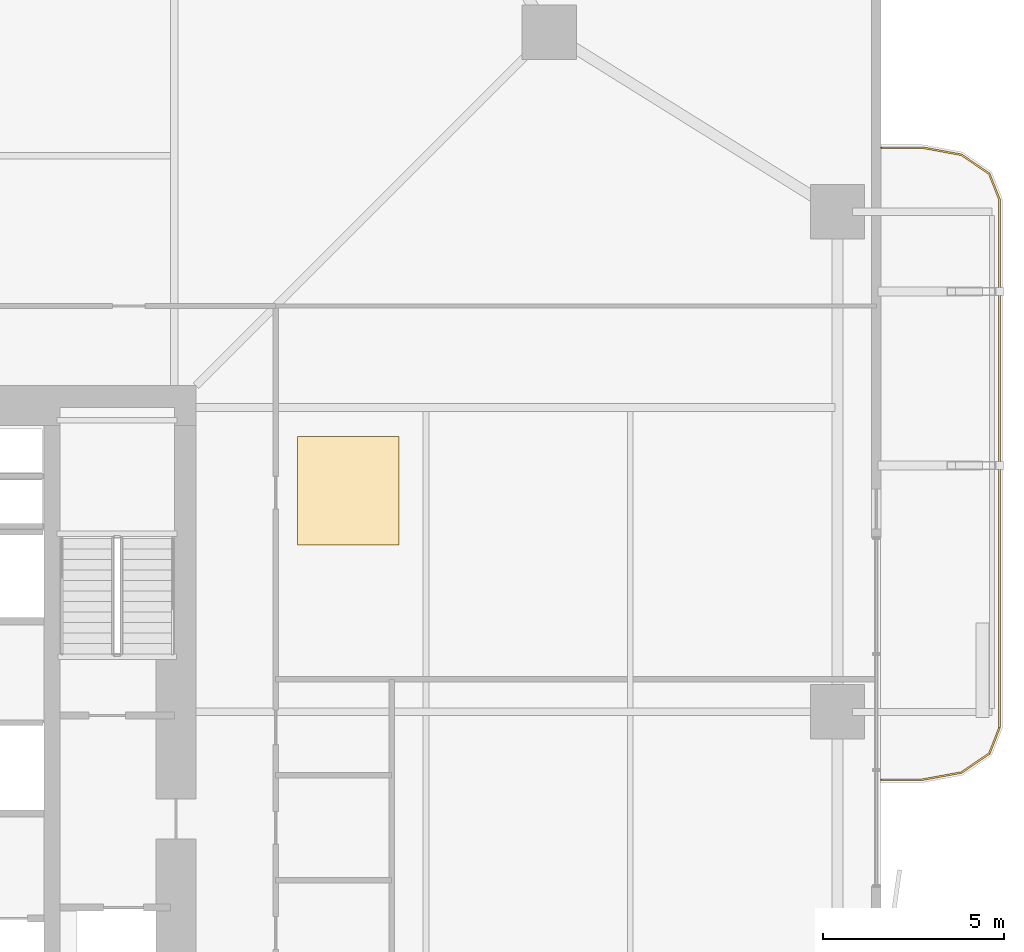
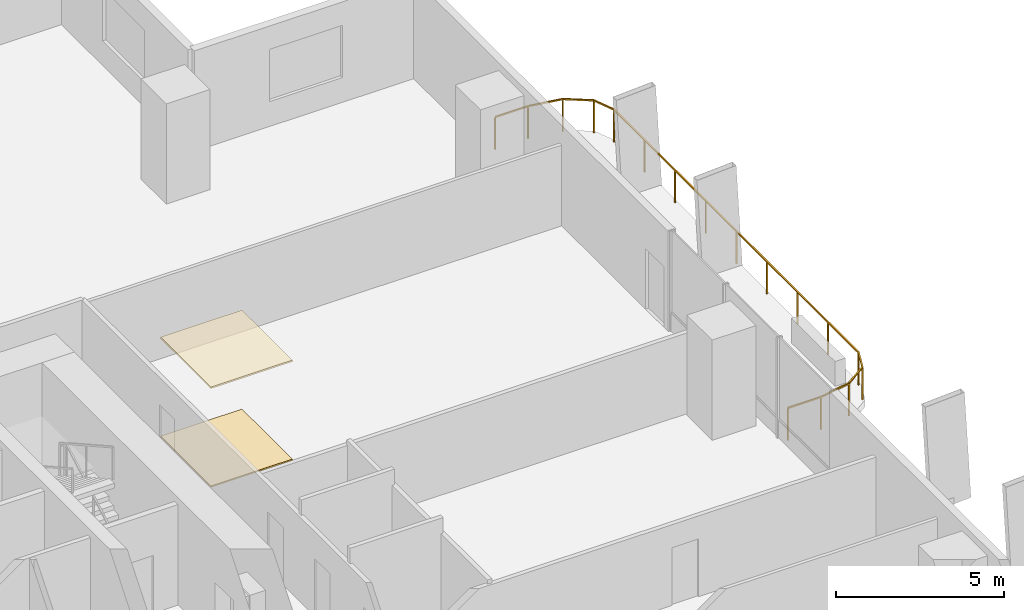
# One storey, part 24 of 24: 2 coverings, 1 railing.
"""IFC4 building model written with IfcOpenShell, lengths in metres."""

from ifc_helpers import new_model, si_unit, direction, frame, origin, origin_2d, place, context, subcontext, project, spatial, polyline, rectangle, outline, extrude, material, layer, layer_set, type_object, element, save


model = new_model("IFC4")

# Units and contexts
model_context = context("Model", 3, precision=1e-05, world=origin(), true_north=direction((0.0, 1.0)))
body_context = subcontext(model_context, "Body", "Model", "MODEL_VIEW")
ifc_project = project(units=[si_unit("LENGTHUNIT", "METRE"), si_unit("AREAUNIT", "SQUARE_METRE"), si_unit("VOLUMEUNIT", "CUBIC_METRE"), si_unit("PLANEANGLEUNIT", "RADIAN"), si_unit("MASSUNIT", "GRAM", prefix="KILO")], contexts=[model_context])

# Site, building, storey
site_placement = place(None, origin())
site = spatial("IfcSite", under=ifc_project, at=site_placement, CompositionType="ELEMENT")
building_placement = place(site_placement, origin())
building = spatial("IfcBuilding", under=site, at=building_placement, Name="Belovzor Exchange Tower", CompositionType="ELEMENT")
storey_placement = place(building_placement, frame((0.0, 0.0, 45.60009765625)))
storey = spatial("IfcBuildingStorey", under=building, at=storey_placement, Name="L10", CompositionType="ELEMENT", Elevation=45.60009765625)

# Railing
ifc_material_1 = material(Name="Stainless Steel and Laminated Safety Glass", Category="steel")
railing_type = type_object("IfcRailingType", Name="Laminated Glass & Stainless Steel Balcony Balustrade 1200", PredefinedType="BALUSTRADE", material=ifc_material_1)
railing_placement = place(storey_placement, frame((56.7099609375, 26.929931640625, 0.0)))
element("IfcRailing", 1, at=railing_placement, inside=storey, type_object=railing_type, Name="GR-1 Balcony Balustrade L10 East", PredefinedType="BALUSTRADE", context=body_context, shape_type="SweptSolid", body=[
    extrude(rectangle(XDim=0.048095703125, YDim=0.048095703125, at=origin_2d()), frame((0.0, 0.0, 1.17578125), z_axis=(1.0, 0.0, 0.0), x_axis=(0.0, 1.0, 0.0)), (0.0, 0.0, 1.0), 1.133056640625),
    extrude(rectangle(XDim=0.048095703125, YDim=0.048095703125, at=origin_2d()), frame((1.133056640625, 0.0, 1.17578125), z_axis=(0.983644145941, 0.180122719713, 0.0), x_axis=(-0.180122719713, 0.983644145941, 0.0)), (0.0, 0.0, 1.0), 1.09375),
    extrude(rectangle(XDim=0.048095703125, YDim=0.048095703125, at=origin_2d()), frame((2.208984375, 0.197021484375, 1.17578125), z_axis=(0.826493025367, 0.56294695933, 0.0), x_axis=(-0.56294695933, 0.826493025367, 0.0)), (0.0, 0.0, 1.0), 0.932861328125),
    extrude(rectangle(XDim=0.048095703125, YDim=0.048095703125, at=origin_2d()), frame((2.97998046875, 0.72216796875, 1.17578125), z_axis=(0.365612923861, 0.930766990125, 0.0), x_axis=(-0.930766990125, 0.365612923861, 0.0)), (0.0, 0.0, 1.0), 0.765869140625),
    extrude(rectangle(XDim=0.048095703125, YDim=0.048095703125, at=origin_2d()), frame((3.260009765625, 1.43505859375, 1.17578125), z_axis=(0.0, 1.0, 0.0), x_axis=(-1.0, 0.0, 0.0)), (0.0, 0.0, 1.0), 14.570068359375),
    extrude(rectangle(XDim=0.048095703125, YDim=0.048095703125, at=origin_2d()), frame((3.260009765625, 16.005126953125, 1.17578125), z_axis=(-0.365612923861, 0.930766990125, 0.0), x_axis=(-0.930766990125, -0.365612923861, 0.0)), (0.0, 0.0, 1.0), 0.765869140625),
    extrude(rectangle(XDim=0.048095703125, YDim=0.048095703125, at=origin_2d()), frame((2.97998046875, 16.718017578125, 1.17578125), z_axis=(-0.826493025367, 0.56294695933, 0.0), x_axis=(-0.56294695933, -0.826493025367, 0.0)), (0.0, 0.0, 1.0), 0.932861328125),
    extrude(rectangle(XDim=0.048095703125, YDim=0.048095703125, at=origin_2d()), frame((2.208984375, 17.2431640625, 1.17578125), z_axis=(-0.983644145941, 0.180122719713, 0.0), x_axis=(-0.180122719713, -0.983644145941, 0.0)), (0.0, 0.0, 1.0), 1.09375),
    extrude(rectangle(XDim=0.048095703125, YDim=0.048095703125, at=origin_2d()), frame((1.133056640625, 17.440185546875, 1.17578125), z_axis=(-1.0, 0.0, 0.0), x_axis=(0.0, -1.0, 0.0)), (0.0, 0.0, 1.0), 1.133056640625),
    extrude(rectangle(XDim=0.0419921875, YDim=0.0419921875, at=origin_2d()), origin(), (0.0, 0.0, 1.0), 1.15185546875),
    extrude(rectangle(XDim=0.0419921875, YDim=0.0419921875, at=origin_2d()), frame((1.133056640625, 0.0, 0.0)), (0.0, 0.0, 1.0), 1.15185546875),
    extrude(rectangle(XDim=0.0419921875, YDim=0.0419921875, at=origin_2d()), frame((2.208984375, 0.197021484375, 0.0)), (0.0, 0.0, 1.0), 1.15185546875),
    extrude(rectangle(XDim=0.0419921875, YDim=0.0419921875, at=origin_2d()), frame((2.97998046875, 0.72216796875, 0.0)), (0.0, 0.0, 1.0), 1.15185546875),
    extrude(rectangle(XDim=0.0419921875, YDim=0.0419921875, at=origin_2d()), frame((3.260009765625, 1.43505859375, 0.0)), (0.0, 0.0, 1.0), 1.15185546875),
    extrude(rectangle(XDim=0.0419921875, YDim=0.0419921875, at=origin_2d()), frame((3.260009765625, 3.25634765625, 0.0)), (0.0, 0.0, 1.0), 1.15185546875),
    extrude(rectangle(XDim=0.0419921875, YDim=0.0419921875, at=origin_2d()), frame((3.260009765625, 5.07763671875, 0.0)), (0.0, 0.0, 1.0), 1.15185546875),
    extrude(rectangle(XDim=0.0419921875, YDim=0.0419921875, at=origin_2d()), frame((3.260009765625, 6.89892578125, 0.0)), (0.0, 0.0, 1.0), 1.15185546875),
    extrude(rectangle(XDim=0.0419921875, YDim=0.0419921875, at=origin_2d()), frame((3.260009765625, 8.72021484375, 0.0)), (0.0, 0.0, 1.0), 1.15185546875),
    extrude(rectangle(XDim=0.0419921875, YDim=0.0419921875, at=origin_2d()), frame((3.260009765625, 10.541259765625, 0.0)), (0.0, 0.0, 1.0), 1.15185546875),
    extrude(rectangle(XDim=0.0419921875, YDim=0.0419921875, at=origin_2d()), frame((3.260009765625, 12.362548828125, 0.0)), (0.0, 0.0, 1.0), 1.15185546875),
    extrude(rectangle(XDim=0.0419921875, YDim=0.0419921875, at=origin_2d()), frame((3.260009765625, 14.183837890625, 0.0)), (0.0, 0.0, 1.0), 1.15185546875),
    extrude(rectangle(XDim=0.0419921875, YDim=0.0419921875, at=origin_2d()), frame((3.260009765625, 16.005126953125, 0.0)), (0.0, 0.0, 1.0), 1.15185546875),
    extrude(rectangle(XDim=0.0419921875, YDim=0.0419921875, at=origin_2d()), frame((2.97998046875, 16.718017578125, 0.0)), (0.0, 0.0, 1.0), 1.15185546875),
    extrude(rectangle(XDim=0.0419921875, YDim=0.0419921875, at=origin_2d()), frame((2.208984375, 17.2431640625, 0.0)), (0.0, 0.0, 1.0), 1.15185546875),
    extrude(rectangle(XDim=0.0419921875, YDim=0.0419921875, at=origin_2d()), frame((1.133056640625, 17.440185546875, 0.0)), (0.0, 0.0, 1.0), 1.15185546875),
    extrude(rectangle(XDim=0.0419921875, YDim=0.0419921875, at=origin_2d()), frame((0.0, 17.440185546875, 0.0)), (0.0, 0.0, 1.0), 1.15185546875),
])

# Coverings
ifc_material_2 = material(Name="Perforated Powder-Coated Aluminium", Category="aluminium")
ifc_layer_1 = layer(ifc_material_2, 0.06005859375)
ifc_layer_set_1 = layer_set([ifc_layer_1], Name="Perforated Powder-Coated Aluminium")
covering_type_1 = type_object("IfcCoveringType", Name="Perforated Acoustic Metal Tile Suspended Ceiling 60", PredefinedType="CEILING", material=ifc_layer_set_1)
covering_1_placement = place(storey_placement, frame((0.0, 0.0, 3.58984375)))
element("IfcCovering", 2, at=covering_1_placement, inside=storey, type_object=covering_type_1, Name="CLG-AC60 Suspended Ceiling CLG-L10-Z2", PredefinedType="CEILING", context=body_context, shape_type="SweptSolid", body=[
    extrude(outline(polyline([(40.60009765625, 33.39990234375), (43.39990234375, 33.39990234375), (43.39990234375, 36.39990234375), (40.60009765625, 36.39990234375), (40.60009765625, 33.39990234375)])), origin(), (0.0, 0.0, 1.0), 0.06005859375),
])
ifc_material_3 = material(Name="Polished Natural Granite Tile", Category="masonry")
ifc_layer_2 = layer(ifc_material_3, 0.050048828125)
ifc_layer_set_2 = layer_set([ifc_layer_2], Name="Polished Natural Granite Tile")
covering_type_2 = type_object("IfcCoveringType", Name="Polished Karelian Granite & Raised Access Floor Finish 50", PredefinedType="FLOORING", material=ifc_layer_set_2)
covering_2_placement = place(storey_placement, origin())
element("IfcCovering", 3, at=covering_2_placement, inside=storey, type_object=covering_type_2, Name="FLR-GR50 Floor Finish FLR-L10-Z2", PredefinedType="FLOORING", context=body_context, shape_type="SweptSolid", body=[
    extrude(outline(polyline([(40.60009765625, 33.39990234375), (43.39990234375, 33.39990234375), (43.39990234375, 36.39990234375), (40.60009765625, 36.39990234375), (40.60009765625, 33.39990234375)])), origin(), (0.0, 0.0, 1.0), 0.0498046875),
])

save(model, "model.ifc")
